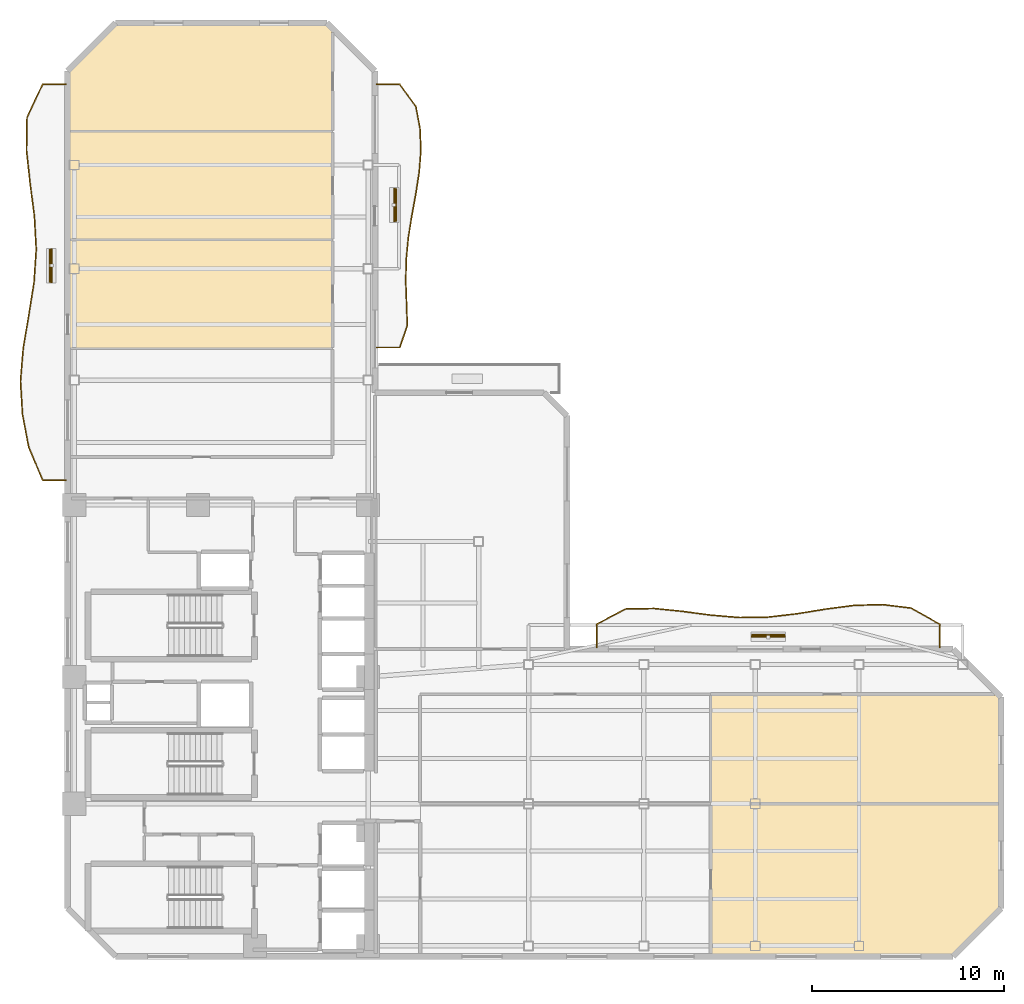
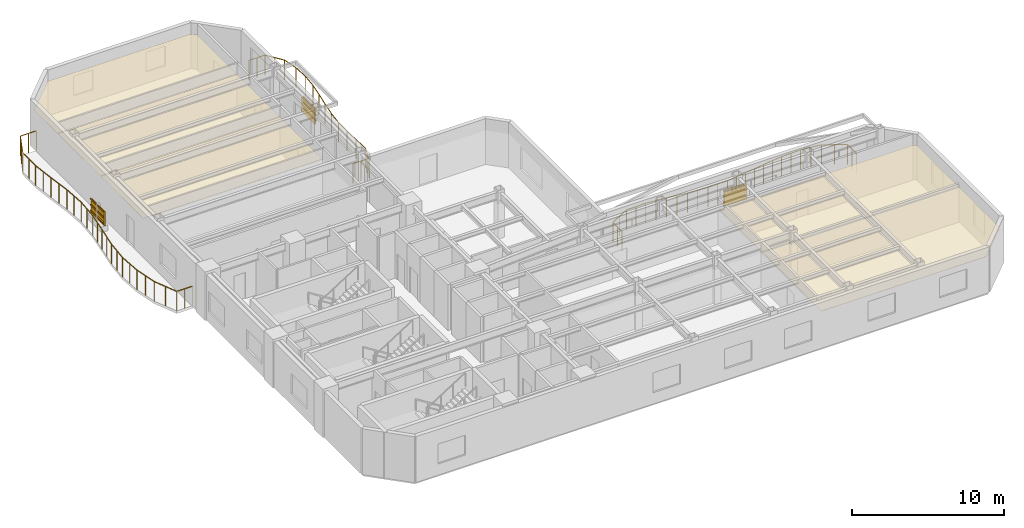
# One storey, part 9 of 9: 12 shading devices, 5 coverings, 3 railings.
"""IFC4 building model written with IfcOpenShell, lengths in metres."""

from ifc_helpers import new_model, si_unit, direction, frame, origin, origin_2d, place, context, subcontext, project, spatial, polyline, rectangle, outline, extrude, material, layer, layer_set, material_profile, profile_set, type_object, element, save


model = new_model("IFC4")

# Units and contexts
model_context = context("Model", 3, precision=1e-05, world=origin(), true_north=direction((0.0, 1.0)))
body_context = subcontext(model_context, "Body", "Model", "MODEL_VIEW")
ifc_project = project(units=[si_unit("LENGTHUNIT", "METRE"), si_unit("AREAUNIT", "SQUARE_METRE"), si_unit("VOLUMEUNIT", "CUBIC_METRE"), si_unit("PLANEANGLEUNIT", "RADIAN"), si_unit("MASSUNIT", "GRAM", prefix="KILO")], contexts=[model_context])

# Site, building, storey
site_placement = place(None, origin())
site = spatial("IfcSite", under=ifc_project, at=site_placement, CompositionType="ELEMENT")
building_placement = place(site_placement, origin())
building = spatial("IfcBuilding", under=site, at=building_placement, Name="Mawjaban Terraces University", CompositionType="ELEMENT")
storey_placement = place(building_placement, frame((0.0, 0.0, 115.10009765625)))
storey = spatial("IfcBuildingStorey", under=building, at=storey_placement, Name="L27", CompositionType="ELEMENT", Elevation=115.10009765625)

# Coverings
ifc_material_1 = material(Name="Acoustic mineral fibre ceiling tile", Category="masonry")
ifc_layer_1 = layer(ifc_material_1, 0.02001953125)
ifc_layer_set_1 = layer_set([ifc_layer_1], Name="Acoustic mineral fibre ceiling tile")
covering_type = type_object("IfcCoveringType", Name="AcousticMineralCeiling_20", PredefinedType="CEILING", material=ifc_layer_set_1)
covering_1_placement = place(storey_placement, frame((0.0, 0.0, 2.75)))
element("IfcCovering", 1, at=covering_1_placement, inside=storey, type_object=covering_type, Name="L27 Design Studio 4 Acoustic Ceiling", PredefinedType="CEILING", context=body_context, shape_type="SweptSolid", body=[
    extrude(outline(polyline([(55.5048828125, 0.114990234375), (68.052978515625, 0.114990234375), (70.485107421875, 2.547119140625), (70.485107421875, 7.919921875), (55.5048828125, 7.919921875), (55.5048828125, 0.114990234375)])), origin(), (0.0, 0.0, 1.0), 0.02001953125),
])
covering_2_placement = place(storey_placement, frame((0.0, 0.0, 2.75)))
element("IfcCovering", 2, at=covering_2_placement, inside=storey, type_object=covering_type, Name="L27 Faculty Office 5 Acoustic Ceiling", PredefinedType="CEILING", context=body_context, shape_type="SweptSolid", body=[
    extrude(outline(polyline([(70.485107421875, 7.97998046875), (70.485107421875, 13.452880859375), (70.318115234375, 13.6201171875), (55.5048828125, 13.6201171875), (55.5048828125, 7.97998046875), (70.485107421875, 7.97998046875)])), origin(), (0.0, 0.0, 1.0), 0.02001953125),
])
covering_3_placement = place(storey_placement, frame((0.0, 0.0, 2.75)))
element("IfcCovering", 3, at=covering_3_placement, inside=storey, type_object=covering_type, Name="L27 Academic Workspace 7 Acoustic Ceiling", PredefinedType="CEILING", context=body_context, shape_type="SweptSolid", body=[
    extrude(outline(polyline([(22.114990234375, 37.27001953125), (22.114990234375, 31.679931640625), (35.77001953125, 31.679931640625), (35.77001953125, 37.27001953125), (22.114990234375, 37.27001953125)])), origin(), (0.0, 0.0, 1.0), 0.02001953125),
])
covering_4_placement = place(storey_placement, frame((0.0, 0.0, 2.75)))
element("IfcCovering", 4, at=covering_4_placement, inside=storey, type_object=covering_type, Name="L27 Faculty Office 8 Acoustic Ceiling", PredefinedType="CEILING", context=body_context, shape_type="SweptSolid", body=[
    extrude(outline(polyline([(22.114990234375, 42.919921875), (22.114990234375, 37.330078125), (35.77001953125, 37.330078125), (35.77001953125, 42.919921875), (22.114990234375, 42.919921875)])), origin(), (0.0, 0.0, 1.0), 0.02001953125),
])
covering_5_placement = place(storey_placement, frame((0.0, 0.0, 2.75)))
element("IfcCovering", 5, at=covering_5_placement, inside=storey, type_object=covering_type, Name="L27 Departmental Office 9 Acoustic Ceiling", PredefinedType="CEILING", context=body_context, shape_type="SweptSolid", body=[
    extrude(outline(polyline([(35.77001953125, 48.16796875), (35.452880859375, 48.485107421875), (24.547119140625, 48.485107421875), (22.114990234375, 46.052978515625), (22.114990234375, 42.97998046875), (35.77001953125, 42.97998046875), (35.77001953125, 48.16796875)])), origin(), (0.0, 0.0, 1.0), 0.02001953125),
])

# Railings
ifc_material_2 = material(Name="Galvanised powder-coated steel S355", Category="steel")
railing_type = type_object("IfcRailingType", Name="BalconyBalustrade_1600", PredefinedType="BALUSTRADE", material=ifc_material_2)
railing_1_placement = place(storey_placement, frame((21.919921875, 24.800048828125, 0.0)))
element("IfcRailing", 6, at=railing_1_placement, inside=storey, type_object=railing_type, Name="L27 Balcony Guardrail west", PredefinedType="BALUSTRADE", context=body_context, shape_type="SweptSolid", body=[
    extrude(rectangle(XDim=0.048095703125, YDim=0.048095703125, at=origin_2d()), frame((0.0, 0.0, 1.576171875), z_axis=(-1.0, 0.0, 0.0), x_axis=(0.0, -1.0, 0.0)), (0.0, 0.0, 1.0), 1.219970703125),
    extrude(rectangle(XDim=0.048095703125, YDim=0.048095703125, at=origin_2d()), frame((-1.219970703125, 0.0, 1.576171875), z_axis=(-0.388027707189, 0.92164770843, 0.0), x_axis=(-0.92164770843, -0.388027707189, 0.0)), (0.0, 0.0, 1.0), 1.863037109375),
    extrude(rectangle(XDim=0.048095703125, YDim=0.048095703125, at=origin_2d()), frame((-1.94287109375, 1.717041015625, 1.576171875), z_axis=(-0.186752386743, 0.982407016489, 0.0), x_axis=(-0.982407016489, -0.186752386743, 0.0)), (0.0, 0.0, 1.0), 1.74658203125),
    extrude(rectangle(XDim=0.048095703125, YDim=0.048095703125, at=origin_2d()), frame((-2.26904296875, 3.432861328125, 1.576171875), z_axis=(-0.059187962302, 0.998246855802, 0.0), x_axis=(-0.998246855802, -0.059187962302, 0.0)), (0.0, 0.0, 1.0), 1.719970703125),
    extrude(rectangle(XDim=0.048095703125, YDim=0.048095703125, at=origin_2d()), frame((-2.370849609375, 5.14990234375, 1.576171875), z_axis=(0.081767083139, 0.996651465717, 0.0), x_axis=(-0.996651465717, 0.081767083139, 0.0)), (0.0, 0.0, 1.0), 1.722900390625),
    extrude(rectangle(XDim=0.048095703125, YDim=0.048095703125, at=origin_2d()), frame((-2.22998046875, 6.866943359375, 1.576171875), z_axis=(0.166650593889, 0.986016013844, 0.0), x_axis=(-0.986016013844, 0.166650593889, 0.0)), (0.0, 0.0, 1.0), 1.740478515625),
    extrude(rectangle(XDim=0.048095703125, YDim=0.048095703125, at=origin_2d()), frame((-1.93994140625, 8.5830078125, 1.576171875), z_axis=(0.157541431604, 0.987512378316, 0.0), x_axis=(-0.987512378316, 0.157541431604, 0.0)), (0.0, 0.0, 1.0), 1.73876953125),
    extrude(rectangle(XDim=0.048095703125, YDim=0.048095703125, at=origin_2d()), frame((-1.666015625, 10.300048828125, 1.576171875), z_axis=(0.065699610888, 0.997839446569, 0.0), x_axis=(-0.997839446569, 0.065699610888, 0.0)), (0.0, 0.0, 1.0), 1.720458984375),
    extrude(rectangle(XDim=0.048095703125, YDim=0.048095703125, at=origin_2d()), frame((-1.552978515625, 12.016845703125, 1.576171875), z_axis=(-0.055257598412, 0.998472131718, 0.0), x_axis=(-0.998472131718, -0.055257598412, 0.0)), (0.0, 0.0, 1.0), 1.71875),
    extrude(rectangle(XDim=0.048095703125, YDim=0.048095703125, at=origin_2d()), frame((-1.64794921875, 13.73291015625, 1.576171875), z_axis=(-0.128736356349, 0.991678854546, 0.0), x_axis=(-0.991678854546, -0.128736356349, 0.0)), (0.0, 0.0, 1.0), 1.7314453125),
    extrude(rectangle(XDim=0.048095703125, YDim=0.048095703125, at=origin_2d()), frame((-1.870849609375, 15.449951171875, 1.576171875), z_axis=(-0.108274802746, 0.994121002238, 0.0), x_axis=(-0.994121002238, -0.108274802746, 0.0)), (0.0, 0.0, 1.0), 1.727294921875),
    extrude(rectangle(XDim=0.048095703125, YDim=0.048095703125, at=origin_2d()), frame((-2.057861328125, 17.1669921875, 1.576171875), z_axis=(0.015647536304, 0.999877569809, 0.0), x_axis=(-0.999877569809, 0.015647536304, 0.0)), (0.0, 0.0, 1.0), 1.71630859375),
    extrude(rectangle(XDim=0.048095703125, YDim=0.048095703125, at=origin_2d()), frame((-2.031005859375, 18.883056640625, 1.576171875), z_axis=(0.427146482091, 0.904182438912, 0.0), x_axis=(-0.904182438912, 0.427146482091, 0.0)), (0.0, 0.0, 1.0), 1.898681640625),
    extrude(rectangle(XDim=0.048095703125, YDim=0.048095703125, at=origin_2d()), frame((-1.219970703125, 20.599853515625, 1.576171875), z_axis=(1.0, 0.0, 0.0), x_axis=(0.0, 1.0, 0.0)), (0.0, 0.0, 1.0), 1.219970703125),
    extrude(rectangle(XDim=0.0419921875, YDim=0.0419921875, at=origin_2d()), origin(), (0.0, 0.0, 1.0), 1.552001953125),
    extrude(rectangle(XDim=0.0419921875, YDim=0.0419921875, at=origin_2d()), frame((-0.60986328125, 0.0, 0.0)), (0.0, 0.0, 1.0), 1.552001953125),
    extrude(rectangle(XDim=0.0419921875, YDim=0.0419921875, at=origin_2d()), frame((-1.219970703125, 0.0, 0.0)), (0.0, 0.0, 1.0), 1.552001953125),
    extrude(rectangle(XDim=0.0419921875, YDim=0.0419921875, at=origin_2d()), frame((-1.58154296875, 0.8583984375, 0.0)), (0.0, 0.0, 1.0), 1.552001953125),
    extrude(rectangle(XDim=0.0419921875, YDim=0.0419921875, at=origin_2d()), frame((-1.94287109375, 1.717041015625, 0.0)), (0.0, 0.0, 1.0), 1.552001953125),
    extrude(rectangle(XDim=0.0419921875, YDim=0.0419921875, at=origin_2d()), frame((-2.10595703125, 2.574951171875, 0.0)), (0.0, 0.0, 1.0), 1.552001953125),
    extrude(rectangle(XDim=0.0419921875, YDim=0.0419921875, at=origin_2d()), frame((-2.26904296875, 3.432861328125, 0.0)), (0.0, 0.0, 1.0), 1.552001953125),
    extrude(rectangle(XDim=0.0419921875, YDim=0.0419921875, at=origin_2d()), frame((-2.31982421875, 4.29150390625, 0.0)), (0.0, 0.0, 1.0), 1.552001953125),
    extrude(rectangle(XDim=0.0419921875, YDim=0.0419921875, at=origin_2d()), frame((-2.370849609375, 5.14990234375, 0.0)), (0.0, 0.0, 1.0), 1.552001953125),
    extrude(rectangle(XDim=0.0419921875, YDim=0.0419921875, at=origin_2d()), frame((-2.30029296875, 6.00830078125, 0.0)), (0.0, 0.0, 1.0), 1.552001953125),
    extrude(rectangle(XDim=0.0419921875, YDim=0.0419921875, at=origin_2d()), frame((-2.22998046875, 6.866943359375, 0.0)), (0.0, 0.0, 1.0), 1.552001953125),
    extrude(rectangle(XDim=0.0419921875, YDim=0.0419921875, at=origin_2d()), frame((-2.0849609375, 7.72509765625, 0.0)), (0.0, 0.0, 1.0), 1.552001953125),
    extrude(rectangle(XDim=0.0419921875, YDim=0.0419921875, at=origin_2d()), frame((-1.93994140625, 8.5830078125, 0.0)), (0.0, 0.0, 1.0), 1.552001953125),
    extrude(rectangle(XDim=0.0419921875, YDim=0.0419921875, at=origin_2d()), frame((-1.802978515625, 9.44140625, 0.0)), (0.0, 0.0, 1.0), 1.552001953125),
    extrude(rectangle(XDim=0.0419921875, YDim=0.0419921875, at=origin_2d()), frame((-1.666015625, 10.300048828125, 0.0)), (0.0, 0.0, 1.0), 1.552001953125),
    extrude(rectangle(XDim=0.0419921875, YDim=0.0419921875, at=origin_2d()), frame((-1.609375, 11.158447265625, 0.0)), (0.0, 0.0, 1.0), 1.552001953125),
    extrude(rectangle(XDim=0.0419921875, YDim=0.0419921875, at=origin_2d()), frame((-1.552978515625, 12.016845703125, 0.0)), (0.0, 0.0, 1.0), 1.552001953125),
    extrude(rectangle(XDim=0.0419921875, YDim=0.0419921875, at=origin_2d()), frame((-1.6005859375, 12.875, 0.0)), (0.0, 0.0, 1.0), 1.552001953125),
    extrude(rectangle(XDim=0.0419921875, YDim=0.0419921875, at=origin_2d()), frame((-1.64794921875, 13.73291015625, 0.0)), (0.0, 0.0, 1.0), 1.552001953125),
    extrude(rectangle(XDim=0.0419921875, YDim=0.0419921875, at=origin_2d()), frame((-1.75927734375, 14.59130859375, 0.0)), (0.0, 0.0, 1.0), 1.552001953125),
    extrude(rectangle(XDim=0.0419921875, YDim=0.0419921875, at=origin_2d()), frame((-1.870849609375, 15.449951171875, 0.0)), (0.0, 0.0, 1.0), 1.552001953125),
    extrude(rectangle(XDim=0.0419921875, YDim=0.0419921875, at=origin_2d()), frame((-1.96435546875, 16.30859375, 0.0)), (0.0, 0.0, 1.0), 1.552001953125),
    extrude(rectangle(XDim=0.0419921875, YDim=0.0419921875, at=origin_2d()), frame((-2.057861328125, 17.1669921875, 0.0)), (0.0, 0.0, 1.0), 1.552001953125),
    extrude(rectangle(XDim=0.0419921875, YDim=0.0419921875, at=origin_2d()), frame((-2.04443359375, 18.02490234375, 0.0)), (0.0, 0.0, 1.0), 1.552001953125),
    extrude(rectangle(XDim=0.0419921875, YDim=0.0419921875, at=origin_2d()), frame((-2.031005859375, 18.883056640625, 0.0)), (0.0, 0.0, 1.0), 1.552001953125),
    extrude(rectangle(XDim=0.0419921875, YDim=0.0419921875, at=origin_2d()), frame((-1.62548828125, 19.741455078125, 0.0)), (0.0, 0.0, 1.0), 1.552001953125),
    extrude(rectangle(XDim=0.0419921875, YDim=0.0419921875, at=origin_2d()), frame((-1.219970703125, 20.599853515625, 0.0)), (0.0, 0.0, 1.0), 1.552001953125),
    extrude(rectangle(XDim=0.0419921875, YDim=0.0419921875, at=origin_2d()), frame((-0.60986328125, 20.599853515625, 0.0)), (0.0, 0.0, 1.0), 1.552001953125),
    extrude(rectangle(XDim=0.0419921875, YDim=0.0419921875, at=origin_2d()), frame((0.0, 20.599853515625, 0.0)), (0.0, 0.0, 1.0), 1.552001953125),
])
railing_2_placement = place(storey_placement, frame((49.555908203125, 16.080078125, 0.0)))
element("IfcRailing", 7, at=railing_2_placement, inside=storey, type_object=railing_type, Name="L27 Balcony Guardrail inner_north", PredefinedType="BALUSTRADE", context=body_context, shape_type="SweptSolid", body=[
    extrude(rectangle(XDim=0.048095703125, YDim=0.048095703125, at=origin_2d()), frame((0.0, 0.0, 1.576171875), z_axis=(0.0, 1.0, 0.0), x_axis=(-1.0, 0.0, 0.0)), (0.0, 0.0, 1.0), 1.219970703125),
    extrude(rectangle(XDim=0.048095703125, YDim=0.048095703125, at=origin_2d()), frame((0.0, 1.219970703125, 1.576171875), z_axis=(0.883346569824, 0.46872042582, 0.0), x_axis=(-0.46872042582, 0.883346569824, 0.0)), (0.0, 0.0, 1.0), 1.683349609375),
    extrude(rectangle(XDim=0.048095703125, YDim=0.048095703125, at=origin_2d()), frame((1.487060546875, 2.009033203125, 1.576171875), z_axis=(0.999812399239, 0.019369210821, 0.0), x_axis=(-0.019369210821, 0.999812399239, 0.0)), (0.0, 0.0, 1.0), 1.4873046875),
    extrude(rectangle(XDim=0.048095703125, YDim=0.048095703125, at=origin_2d()), frame((2.97412109375, 2.037841796875, 1.576171875), z_axis=(0.994892217657, -0.100942930637, 0.0), x_axis=(0.100942930637, 0.994892217657, 0.0)), (0.0, 0.0, 1.0), 1.49462890625),
    extrude(rectangle(XDim=0.048095703125, YDim=0.048095703125, at=origin_2d()), frame((4.461181640625, 1.886962890625, 1.576171875), z_axis=(0.99124921093, -0.132003794756, 0.0), x_axis=(0.132003794756, 0.99124921093, 0.0)), (0.0, 0.0, 1.0), 1.5),
    extrude(rectangle(XDim=0.048095703125, YDim=0.048095703125, at=origin_2d()), frame((5.947998046875, 1.68896484375, 1.576171875), z_axis=(0.996594109196, -0.082463213107, 0.0), x_axis=(0.082463213107, 0.996594109196, 0.0)), (0.0, 0.0, 1.0), 1.4921875),
    extrude(rectangle(XDim=0.048095703125, YDim=0.048095703125, at=origin_2d()), frame((7.43505859375, 1.56591796875, 1.576171875), z_axis=(0.999870592142, 0.016087230016, 0.0), x_axis=(-0.016087230016, 0.999870592142, 0.0)), (0.0, 0.0, 1.0), 1.4873046875),
    extrude(rectangle(XDim=0.048095703125, YDim=0.048095703125, at=origin_2d()), frame((8.922119140625, 1.58984375, 1.576171875), z_axis=(0.993442465682, 0.114333142086, 0.0), x_axis=(-0.114333142086, 0.993442465682, 0.0)), (0.0, 0.0, 1.0), 1.496826171875),
    extrude(rectangle(XDim=0.048095703125, YDim=0.048095703125, at=origin_2d()), frame((10.4091796875, 1.760986328125, 1.576171875), z_axis=(0.987017429467, 0.160613181051, 0.0), x_axis=(-0.160613181051, 0.987017429467, 0.0)), (0.0, 0.0, 1.0), 1.50634765625),
    extrude(rectangle(XDim=0.048095703125, YDim=0.048095703125, at=origin_2d()), frame((11.89599609375, 2.0029296875, 1.576171875), z_axis=(0.991421577803, 0.130702926773, 0.0), x_axis=(-0.130702926773, 0.991421577803, 0.0)), (0.0, 0.0, 1.0), 1.5),
    extrude(rectangle(XDim=0.048095703125, YDim=0.048095703125, at=origin_2d()), frame((13.383056640625, 2.198974609375, 1.576171875), z_axis=(0.999601535108, 0.028227132497, 0.0), x_axis=(-0.028227132497, 0.999601535108, 0.0)), (0.0, 0.0, 1.0), 1.487548828125),
    extrude(rectangle(XDim=0.048095703125, YDim=0.048095703125, at=origin_2d()), frame((14.8701171875, 2.240966796875, 1.576171875), z_axis=(0.992504322902, -0.12220952917, 0.0), x_axis=(0.12220952917, 0.992504322902, 0.0)), (0.0, 0.0, 1.0), 1.498291015625),
    extrude(rectangle(XDim=0.048095703125, YDim=0.048095703125, at=origin_2d()), frame((16.357177734375, 2.057861328125, 1.576171875), z_axis=(0.871185583557, -0.490953846103, 0.0), x_axis=(0.490953846103, 0.871185583557, 0.0)), (0.0, 0.0, 1.0), 1.70654296875),
    extrude(rectangle(XDim=0.048095703125, YDim=0.048095703125, at=origin_2d()), frame((17.843994140625, 1.219970703125, 1.576171875), z_axis=(0.0, -1.0, 0.0), x_axis=(1.0, 0.0, 0.0)), (0.0, 0.0, 1.0), 1.219970703125),
    extrude(rectangle(XDim=0.0419921875, YDim=0.0419921875, at=origin_2d()), origin(), (0.0, 0.0, 1.0), 1.552001953125),
    extrude(rectangle(XDim=0.0419921875, YDim=0.0419921875, at=origin_2d()), frame((0.0, 0.60986328125, 0.0)), (0.0, 0.0, 1.0), 1.552001953125),
    extrude(rectangle(XDim=0.0419921875, YDim=0.0419921875, at=origin_2d()), frame((0.0, 1.219970703125, 0.0)), (0.0, 0.0, 1.0), 1.552001953125),
    extrude(rectangle(XDim=0.0419921875, YDim=0.0419921875, at=origin_2d()), frame((0.74365234375, 1.614501953125, 0.0)), (0.0, 0.0, 1.0), 1.552001953125),
    extrude(rectangle(XDim=0.0419921875, YDim=0.0419921875, at=origin_2d()), frame((1.487060546875, 2.009033203125, 0.0)), (0.0, 0.0, 1.0), 1.552001953125),
    extrude(rectangle(XDim=0.0419921875, YDim=0.0419921875, at=origin_2d()), frame((2.23046875, 2.0234375, 0.0)), (0.0, 0.0, 1.0), 1.552001953125),
    extrude(rectangle(XDim=0.0419921875, YDim=0.0419921875, at=origin_2d()), frame((2.97412109375, 2.037841796875, 0.0)), (0.0, 0.0, 1.0), 1.552001953125),
    extrude(rectangle(XDim=0.0419921875, YDim=0.0419921875, at=origin_2d()), frame((3.7177734375, 1.96240234375, 0.0)), (0.0, 0.0, 1.0), 1.552001953125),
    extrude(rectangle(XDim=0.0419921875, YDim=0.0419921875, at=origin_2d()), frame((4.461181640625, 1.886962890625, 0.0)), (0.0, 0.0, 1.0), 1.552001953125),
    extrude(rectangle(XDim=0.0419921875, YDim=0.0419921875, at=origin_2d()), frame((5.20458984375, 1.7880859375, 0.0)), (0.0, 0.0, 1.0), 1.552001953125),
    extrude(rectangle(XDim=0.0419921875, YDim=0.0419921875, at=origin_2d()), frame((5.947998046875, 1.68896484375, 0.0)), (0.0, 0.0, 1.0), 1.552001953125),
    extrude(rectangle(XDim=0.0419921875, YDim=0.0419921875, at=origin_2d()), frame((6.69140625, 1.62744140625, 0.0)), (0.0, 0.0, 1.0), 1.552001953125),
    extrude(rectangle(XDim=0.0419921875, YDim=0.0419921875, at=origin_2d()), frame((7.43505859375, 1.56591796875, 0.0)), (0.0, 0.0, 1.0), 1.552001953125),
    extrude(rectangle(XDim=0.0419921875, YDim=0.0419921875, at=origin_2d()), frame((8.1787109375, 1.577880859375, 0.0)), (0.0, 0.0, 1.0), 1.552001953125),
    extrude(rectangle(XDim=0.0419921875, YDim=0.0419921875, at=origin_2d()), frame((8.922119140625, 1.58984375, 0.0)), (0.0, 0.0, 1.0), 1.552001953125),
    extrude(rectangle(XDim=0.0419921875, YDim=0.0419921875, at=origin_2d()), frame((9.66552734375, 1.67529296875, 0.0)), (0.0, 0.0, 1.0), 1.552001953125),
    extrude(rectangle(XDim=0.0419921875, YDim=0.0419921875, at=origin_2d()), frame((10.4091796875, 1.760986328125, 0.0)), (0.0, 0.0, 1.0), 1.552001953125),
    extrude(rectangle(XDim=0.0419921875, YDim=0.0419921875, at=origin_2d()), frame((11.152587890625, 1.8818359375, 0.0)), (0.0, 0.0, 1.0), 1.552001953125),
    extrude(rectangle(XDim=0.0419921875, YDim=0.0419921875, at=origin_2d()), frame((11.89599609375, 2.0029296875, 0.0)), (0.0, 0.0, 1.0), 1.552001953125),
    extrude(rectangle(XDim=0.0419921875, YDim=0.0419921875, at=origin_2d()), frame((12.6396484375, 2.10107421875, 0.0)), (0.0, 0.0, 1.0), 1.552001953125),
    extrude(rectangle(XDim=0.0419921875, YDim=0.0419921875, at=origin_2d()), frame((13.383056640625, 2.198974609375, 0.0)), (0.0, 0.0, 1.0), 1.552001953125),
    extrude(rectangle(XDim=0.0419921875, YDim=0.0419921875, at=origin_2d()), frame((14.12646484375, 2.219970703125, 0.0)), (0.0, 0.0, 1.0), 1.552001953125),
    extrude(rectangle(XDim=0.0419921875, YDim=0.0419921875, at=origin_2d()), frame((14.8701171875, 2.240966796875, 0.0)), (0.0, 0.0, 1.0), 1.552001953125),
    extrude(rectangle(XDim=0.0419921875, YDim=0.0419921875, at=origin_2d()), frame((15.61376953125, 2.1494140625, 0.0)), (0.0, 0.0, 1.0), 1.552001953125),
    extrude(rectangle(XDim=0.0419921875, YDim=0.0419921875, at=origin_2d()), frame((16.357177734375, 2.057861328125, 0.0)), (0.0, 0.0, 1.0), 1.552001953125),
    extrude(rectangle(XDim=0.0419921875, YDim=0.0419921875, at=origin_2d()), frame((17.1005859375, 1.638916015625, 0.0)), (0.0, 0.0, 1.0), 1.552001953125),
    extrude(rectangle(XDim=0.0419921875, YDim=0.0419921875, at=origin_2d()), frame((17.843994140625, 1.219970703125, 0.0)), (0.0, 0.0, 1.0), 1.552001953125),
    extrude(rectangle(XDim=0.0419921875, YDim=0.0419921875, at=origin_2d()), frame((17.843994140625, 0.60986328125, 0.0)), (0.0, 0.0, 1.0), 1.552001953125),
    extrude(rectangle(XDim=0.0419921875, YDim=0.0419921875, at=origin_2d()), frame((17.843994140625, 0.0, 0.0)), (0.0, 0.0, 1.0), 1.552001953125),
])
railing_3_placement = place(storey_placement, frame((38.080078125, 31.699951171875, 0.0)))
element("IfcRailing", 8, at=railing_3_placement, inside=storey, type_object=railing_type, Name="L27 Balcony Guardrail inner_east", PredefinedType="BALUSTRADE", context=body_context, shape_type="SweptSolid", body=[
    extrude(rectangle(XDim=0.048095703125, YDim=0.048095703125, at=origin_2d()), frame((0.0, 0.0, 1.576171875), z_axis=(1.0, 0.0, 0.0), x_axis=(0.0, 1.0, 0.0)), (0.0, 0.0, 1.0), 1.219970703125),
    extrude(rectangle(XDim=0.048095703125, YDim=0.048095703125, at=origin_2d()), frame((1.219970703125, 0.0, 1.576171875), z_axis=(0.322352537341, 0.946619692205, 0.0), x_axis=(-0.946619692205, 0.322352537341, 0.0)), (0.0, 0.0, 1.0), 1.20654296875),
    extrude(rectangle(XDim=0.048095703125, YDim=0.048095703125, at=origin_2d()), frame((1.60888671875, 1.14208984375, 1.576171875), z_axis=(-0.032296432369, 0.999478334161, 0.0), x_axis=(-0.999478334161, -0.032296432369, 0.0)), (0.0, 0.0, 1.0), 1.141357421875),
    extrude(rectangle(XDim=0.048095703125, YDim=0.048095703125, at=origin_2d()), frame((1.572021484375, 2.282958984375, 1.576171875), z_axis=(-0.036743021915, 0.999324747187, 0.0), x_axis=(-0.999324747187, -0.036743021915, 0.0)), (0.0, 0.0, 1.0), 1.142822265625),
    extrude(rectangle(XDim=0.048095703125, YDim=0.048095703125, at=origin_2d()), frame((1.530029296875, 3.425048828125, 1.576171875), z_axis=(0.020090001817, 0.999798175547, 0.0), x_axis=(-0.999798175547, 0.020090001817, 0.0)), (0.0, 0.0, 1.0), 1.142333984375),
    extrude(rectangle(XDim=0.048095703125, YDim=0.048095703125, at=origin_2d()), frame((1.552978515625, 4.567138671875, 1.576171875), z_axis=(0.095010150114, 0.995476303774, 0.0), x_axis=(-0.995476303774, 0.095010150114, 0.0)), (0.0, 0.0, 1.0), 1.14599609375),
    extrude(rectangle(XDim=0.048095703125, YDim=0.048095703125, at=origin_2d()), frame((1.661865234375, 5.7080078125, 1.576171875), z_axis=(0.156656401768, 0.987653163709, 0.0), x_axis=(-0.987653163709, 0.156656401768, 0.0)), (0.0, 0.0, 1.0), 1.15625),
    extrude(rectangle(XDim=0.048095703125, YDim=0.048095703125, at=origin_2d()), frame((1.843017578125, 6.85009765625, 1.576171875), z_axis=(0.180032815412, 0.983660604769, 0.0), x_axis=(-0.983660604769, 0.180032815412, 0.0)), (0.0, 0.0, 1.0), 1.160888671875),
    extrude(rectangle(XDim=0.048095703125, YDim=0.048095703125, at=origin_2d()), frame((2.052001953125, 7.991943359375, 1.576171875), z_axis=(0.154106032548, 0.988054315679, 0.0), x_axis=(-0.988054315679, 0.154106032548, 0.0)), (0.0, 0.0, 1.0), 1.155029296875),
    extrude(rectangle(XDim=0.048095703125, YDim=0.048095703125, at=origin_2d()), frame((2.22998046875, 9.133056640625, 1.576171875), z_axis=(0.075881487034, 0.997116843668, 0.0), x_axis=(-0.997116843668, 0.075881487034, 0.0)), (0.0, 0.0, 1.0), 1.1455078125),
    extrude(rectangle(XDim=0.048095703125, YDim=0.048095703125, at=origin_2d()), frame((2.31689453125, 10.275146484375, 1.576171875), z_axis=(-0.041870454865, 0.999123047982, 0.0), x_axis=(-0.999123047982, -0.041870454865, 0.0)), (0.0, 0.0, 1.0), 1.142822265625),
    extrude(rectangle(XDim=0.048095703125, YDim=0.048095703125, at=origin_2d()), frame((2.26904296875, 11.4169921875, 1.576171875), z_axis=(-0.185227819689, 0.982695606387, 0.0), x_axis=(-0.982695606387, -0.185227819689, 0.0)), (0.0, 0.0, 1.0), 1.1611328125),
    extrude(rectangle(XDim=0.048095703125, YDim=0.048095703125, at=origin_2d()), frame((2.053955078125, 12.55810546875, 1.576171875), z_axis=(-0.589813105939, 0.807539782341, 0.0), x_axis=(-0.807539782341, -0.589813105939, 0.0)), (0.0, 0.0, 1.0), 1.4140625),
    extrude(rectangle(XDim=0.048095703125, YDim=0.048095703125, at=origin_2d()), frame((1.219970703125, 13.699951171875, 1.576171875), z_axis=(-1.0, 0.0, 0.0), x_axis=(0.0, -1.0, 0.0)), (0.0, 0.0, 1.0), 1.219970703125),
    extrude(rectangle(XDim=0.0419921875, YDim=0.0419921875, at=origin_2d()), origin(), (0.0, 0.0, 1.0), 1.552001953125),
    extrude(rectangle(XDim=0.0419921875, YDim=0.0419921875, at=origin_2d()), frame((0.60986328125, 0.0, 0.0)), (0.0, 0.0, 1.0), 1.552001953125),
    extrude(rectangle(XDim=0.0419921875, YDim=0.0419921875, at=origin_2d()), frame((1.219970703125, 0.0, 0.0)), (0.0, 0.0, 1.0), 1.552001953125),
    extrude(rectangle(XDim=0.0419921875, YDim=0.0419921875, at=origin_2d()), frame((1.41455078125, 0.571044921875, 0.0)), (0.0, 0.0, 1.0), 1.552001953125),
    extrude(rectangle(XDim=0.0419921875, YDim=0.0419921875, at=origin_2d()), frame((1.60888671875, 1.14208984375, 0.0)), (0.0, 0.0, 1.0), 1.552001953125),
    extrude(rectangle(XDim=0.0419921875, YDim=0.0419921875, at=origin_2d()), frame((1.572021484375, 2.282958984375, 0.0)), (0.0, 0.0, 1.0), 1.552001953125),
    extrude(rectangle(XDim=0.0419921875, YDim=0.0419921875, at=origin_2d()), frame((1.530029296875, 3.425048828125, 0.0)), (0.0, 0.0, 1.0), 1.552001953125),
    extrude(rectangle(XDim=0.0419921875, YDim=0.0419921875, at=origin_2d()), frame((1.552978515625, 4.567138671875, 0.0)), (0.0, 0.0, 1.0), 1.552001953125),
    extrude(rectangle(XDim=0.0419921875, YDim=0.0419921875, at=origin_2d()), frame((1.661865234375, 5.7080078125, 0.0)), (0.0, 0.0, 1.0), 1.552001953125),
    extrude(rectangle(XDim=0.0419921875, YDim=0.0419921875, at=origin_2d()), frame((1.843017578125, 6.85009765625, 0.0)), (0.0, 0.0, 1.0), 1.552001953125),
    extrude(rectangle(XDim=0.0419921875, YDim=0.0419921875, at=origin_2d()), frame((2.052001953125, 7.991943359375, 0.0)), (0.0, 0.0, 1.0), 1.552001953125),
    extrude(rectangle(XDim=0.0419921875, YDim=0.0419921875, at=origin_2d()), frame((2.22998046875, 9.133056640625, 0.0)), (0.0, 0.0, 1.0), 1.552001953125),
    extrude(rectangle(XDim=0.0419921875, YDim=0.0419921875, at=origin_2d()), frame((2.31689453125, 10.275146484375, 0.0)), (0.0, 0.0, 1.0), 1.552001953125),
    extrude(rectangle(XDim=0.0419921875, YDim=0.0419921875, at=origin_2d()), frame((2.26904296875, 11.4169921875, 0.0)), (0.0, 0.0, 1.0), 1.552001953125),
    extrude(rectangle(XDim=0.0419921875, YDim=0.0419921875, at=origin_2d()), frame((2.053955078125, 12.55810546875, 0.0)), (0.0, 0.0, 1.0), 1.552001953125),
    extrude(rectangle(XDim=0.0419921875, YDim=0.0419921875, at=origin_2d()), frame((1.636962890625, 13.12890625, 0.0)), (0.0, 0.0, 1.0), 1.552001953125),
    extrude(rectangle(XDim=0.0419921875, YDim=0.0419921875, at=origin_2d()), frame((1.219970703125, 13.699951171875, 0.0)), (0.0, 0.0, 1.0), 1.552001953125),
    extrude(rectangle(XDim=0.0419921875, YDim=0.0419921875, at=origin_2d()), frame((0.60986328125, 13.699951171875, 0.0)), (0.0, 0.0, 1.0), 1.552001953125),
    extrude(rectangle(XDim=0.0419921875, YDim=0.0419921875, at=origin_2d()), frame((0.0, 13.699951171875, 0.0)), (0.0, 0.0, 1.0), 1.552001953125),
])

# Shading devices
ifc_material_3 = material(Name="Glazed architectural terracotta ceramic", Category="masonry")
ifc_material_profile = material_profile(ifc_material_3, rectangle(XDim=0.06494140625, YDim=0.110107421875, at=origin_2d()), Name="TBAG110X65")
ifc_profile_set = profile_set([ifc_material_profile], Name="Glazed architectural terracotta ceramic")
shading_device_type_1 = type_object("IfcShadingDeviceType", Name="TerracottaBaguette_110x65", PredefinedType="USERDEFINED", material=ifc_profile_set)
for number, where, z_axis, x_axis, name in (
    (9, (21.074951171875, 35.10888671875, 0.679931640625), (0.0, 1.0, 0.0), (-1.0, 0.0, 0.0), "L27 Horizontal Terracotta Baguette west.1"),
    (10, (21.074951171875, 35.10888671875, 1.14990234375), (0.0, 1.0, 0.0), (-1.0, 0.0, 0.0), "L27 Horizontal Terracotta Baguette west.2"),
    (11, (21.074951171875, 35.10888671875, 1.619873046875), (0.0, 1.0, 0.0), (-1.0, 0.0, 0.0), "L27 Horizontal Terracotta Baguette west.3"),
):
    element("IfcShadingDevice", number, at=place(storey_placement, frame(where, z_axis=z_axis, x_axis=x_axis)), inside=storey, type_object=shading_device_type_1, Name=name, ObjectType="BAGUETTE", PredefinedType="USERDEFINED", context=body_context, shape_type="SweptSolid", body=[
        extrude(rectangle(XDim=0.06494140625, YDim=0.110107421875, at=origin_2d()), origin(), (0.0, 0.0, 1.0), 1.7001953125),
    ])
for number, where, z_axis, x_axis, name in (
    (12, (57.6279296875, 16.72998046875, 0.679931640625), (1.0, 0.0, 0.0), (0.0, 1.0, 0.0), "L27 Horizontal Terracotta Baguette inner_north.1"),
    (13, (57.6279296875, 16.72998046875, 1.14990234375), (1.0, 0.0, 0.0), (0.0, 1.0, 0.0), "L27 Horizontal Terracotta Baguette inner_north.2"),
    (14, (57.6279296875, 16.72998046875, 1.619873046875), (1.0, 0.0, 0.0), (0.0, 1.0, 0.0), "L27 Horizontal Terracotta Baguette inner_north.3"),
    (15, (39.093994140625, 38.27099609375, 0.679931640625), (0.0, 1.0, 0.0), (-1.0, 0.0, 0.0), "L27 Horizontal Terracotta Baguette inner_east.1"),
    (16, (39.093994140625, 38.27099609375, 1.14990234375), (0.0, 1.0, 0.0), (-1.0, 0.0, 0.0), "L27 Horizontal Terracotta Baguette inner_east.2"),
    (17, (39.093994140625, 38.27099609375, 1.619873046875), (0.0, 1.0, 0.0), (-1.0, 0.0, 0.0), "L27 Horizontal Terracotta Baguette inner_east.3"),
):
    element("IfcShadingDevice", number, at=place(storey_placement, frame(where, z_axis=z_axis, x_axis=x_axis)), inside=storey, type_object=shading_device_type_1, Name=name, ObjectType="BAGUETTE", PredefinedType="USERDEFINED", context=body_context, shape_type="SweptSolid", body=[
        extrude(rectangle(XDim=0.06494140625, YDim=0.110107421875, at=origin_2d()), origin(), (0.0, 0.0, 1.0), 1.699951171875),
    ])
ifc_layer_2 = layer(ifc_material_3, 0.080078125)
ifc_layer_set_2 = layer_set([ifc_layer_2], Name="Glazed architectural terracotta ceramic")
shading_device_type_2 = type_object("IfcShadingDeviceType", Name="TerracottaScreen_Perforated", PredefinedType="USERDEFINED", material=ifc_layer_set_2)
for number, where, z_axis, x_axis, name in (
    (18, (21.159912109375, 35.958984375, 0.43994140625), (0.0, 0.0, 1.0), (0.0, 1.0, 0.0), "L27 Balcony Perforated Terracotta Screen west"),
    (19, (58.47802734375, 16.64501953125, 0.43994140625), (0.0, 0.0, 1.0), (1.0, 0.0, 0.0), "L27 Balcony Perforated Terracotta Screen inner_north"),
    (20, (39.009033203125, 39.12109375, 0.43994140625), (0.0, 0.0, 1.0), (0.0, 1.0, 0.0), "L27 Balcony Perforated Terracotta Screen inner_east"),
):
    element("IfcShadingDevice", number, at=place(storey_placement, frame(where, z_axis=z_axis, x_axis=x_axis)), inside=storey, type_object=shading_device_type_2, Name=name, ObjectType="SCREEN", PredefinedType="USERDEFINED", context=body_context, shape_type="SweptSolid", body=[
        extrude(rectangle(XDim=1.75, YDim=0.080078125, at=origin_2d()), origin(), (0.0, 0.0, 1.0), 1.14990234375),
    ])

save(model, "model.ifc")
